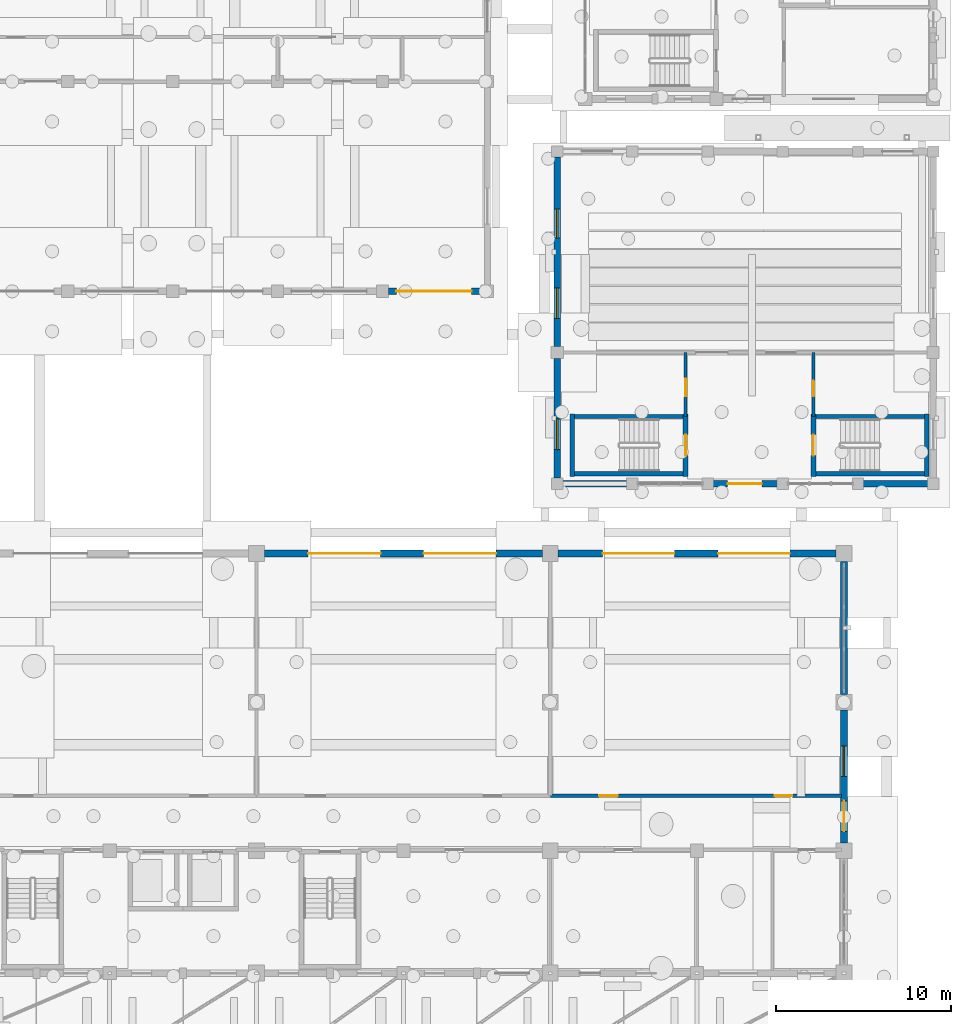
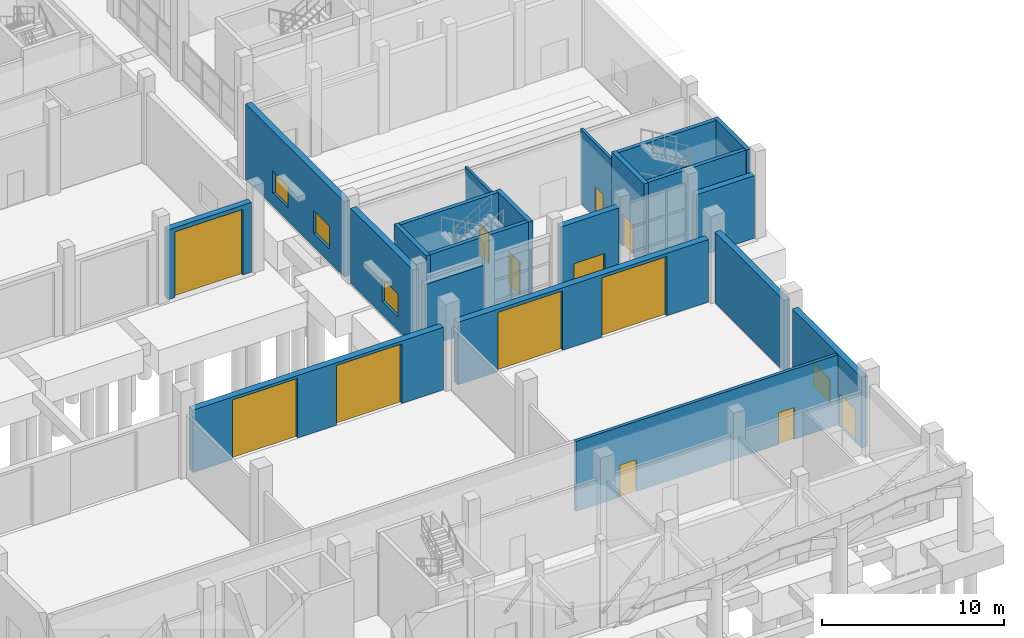
# One storey, part 42 of 60: 21 walls, 13 doors, 4 windows, 17 openings.
"""IFC4 building model written with IfcOpenShell, lengths in metres."""

from ifc_helpers import new_model, si_unit, direction, frame, frame_2d, origin, place, context, subcontext, project, spatial, rectangle, extrude, material, layer, layer_set, type_object, element, fill, save


model = new_model("IFC4")

# Units and contexts
model_context = context("Model", 3, precision=1e-05, world=origin(), true_north=direction((0.0, 1.0)))
body_context = subcontext(model_context, "Body", "Model", "MODEL_VIEW")
ifc_project = project(units=[si_unit("LENGTHUNIT", "METRE"), si_unit("AREAUNIT", "SQUARE_METRE"), si_unit("VOLUMEUNIT", "CUBIC_METRE"), si_unit("PLANEANGLEUNIT", "RADIAN"), si_unit("MASSUNIT", "GRAM", prefix="KILO")], contexts=[model_context])

# Site, building, storey
site_placement = place(None, origin())
site = spatial("IfcSite", under=ifc_project, at=site_placement, CompositionType="ELEMENT")
building_placement = place(site_placement, origin())
building = spatial("IfcBuilding", under=site, at=building_placement, Name="Trellovar Central Fire Station", CompositionType="ELEMENT")
storey_placement = place(building_placement, origin())
storey = spatial("IfcBuildingStorey", under=building, at=storey_placement, Name="L01", CompositionType="ELEMENT", Elevation=0.0)

# Wall, openings, doors
ifc_material_1 = material(Name="Catalan polychrome brickwork with insulated cavity", Category="masonry")
ifc_layer_1 = layer(ifc_material_1, 0.419921875)
ifc_layer_set_1 = layer_set([ifc_layer_1], Name="Catalan polychrome brickwork with insulated cavity")
wall_type_1 = type_object("IfcWallType", Name="EW-1", PredefinedType="STANDARD", material=ifc_layer_set_1)
wall_1_placement = place(storey_placement, frame((138.64990234375, 33.0, 0.0), z_axis=(0.0, 0.0, 1.0), x_axis=(-1.0, 0.0, 0.0)))
wall_1 = element("IfcWall", 1, at=wall_1_placement, inside=storey, type_object=wall_type_1, Name="V5 reserve bay 2 north wall", PredefinedType="STANDARD", context=body_context, shape_type="SweptSolid", body=[
    extrude(rectangle(XDim=15.89990234375, YDim=0.419921875, at=frame_2d((7.949951171875, 0.0))), origin(), (0.0, 0.0, 1.0), 4.18994140625),
])
opening_1_placement = place(wall_1_placement, frame((2.64990234375, 0.0, 0.0)))
opening_1 = element("IfcOpeningElement", 2, at=opening_1_placement, cuts=wall_1, Name="Opening BD-11", PredefinedType="OPENING", context=body_context, shape_type="SweptSolid", body=[
    extrude(rectangle(XDim=4.14990234375, YDim=4.0, at=frame_2d((2.074951171875, 2.0))), frame((0.0, 0.219970703125, 0.0), z_axis=(0.0, -1.0, 0.0), x_axis=(1.0, 0.0, 0.0)), (0.0, 0.0, 1.0), 0.43994140625),
])
opening_2_placement = place(wall_1_placement, frame((9.25, 0.0, 0.0)))
opening_2 = element("IfcOpeningElement", 3, at=opening_2_placement, cuts=wall_1, Name="Opening BD-11", PredefinedType="OPENING", context=body_context, shape_type="SweptSolid", body=[
    extrude(rectangle(XDim=4.14990234375, YDim=4.0, at=frame_2d((2.074951171875, 2.0))), frame((0.0, 0.219970703125, 0.0), z_axis=(0.0, -1.0, 0.0), x_axis=(1.0, 0.0, 0.0)), (0.0, 0.0, 1.0), 0.43994140625),
])
ifc_material_2 = material(Name="Glazed terracotta-orange insulated steel roller shutter", Category="masonry")
door_type_1 = type_object("IfcDoorType", Name="DR-BAY11", OperationType="ROLLINGUP", PredefinedType="DOOR", material=ifc_material_2)
door_1_placement = place(opening_1_placement, origin())
door_1 = element("IfcDoor", 4, at=door_1_placement, inside=storey, type_object=door_type_1, Name="Reserve apparatus bay 2 door A", OperationType="ROLLINGUP", OverallHeight=4.0, OverallWidth=4.14990234375, PredefinedType="DOOR", context=body_context, shape_type="SweptSolid", body=[
    extrude(rectangle(XDim=4.14990234375, YDim=4.0, at=frame_2d((2.074951171875, 2.0))), frame((0.0, 0.02490234375, 0.0), z_axis=(0.0, -1.0, 0.0), x_axis=(1.0, 0.0, 0.0)), (0.0, 0.0, 1.0), 0.050048828125),
])
fill(opening_1, door_1)
door_2_placement = place(opening_2_placement, origin())
door_2 = element("IfcDoor", 5, at=door_2_placement, inside=storey, type_object=door_type_1, Name="Reserve apparatus bay 2 door B", OperationType="ROLLINGUP", OverallHeight=4.0, OverallWidth=4.14990234375, PredefinedType="DOOR", context=body_context, shape_type="SweptSolid", body=[
    extrude(rectangle(XDim=4.14990234375, YDim=4.0, at=frame_2d((2.074951171875, 2.0))), frame((0.0, 0.02490234375, 0.0), z_axis=(0.0, -1.0, 0.0), x_axis=(1.0, 0.0, 0.0)), (0.0, 0.0, 1.0), 0.050048828125),
])
fill(opening_2, door_2)

wall_2_placement = place(storey_placement, frame((155.449951171875, 33.0, 0.0), z_axis=(0.0, 0.0, 1.0), x_axis=(-1.0, 0.0, 0.0)))
wall_2 = element("IfcWall", 6, at=wall_2_placement, inside=storey, type_object=wall_type_1, Name="V5 reserve bay 3 north wall", PredefinedType="STANDARD", context=body_context, shape_type="SweptSolid", body=[
    extrude(rectangle(XDim=15.89990234375, YDim=0.419921875, at=frame_2d((7.949951171875, 0.0))), origin(), (0.0, 0.0, 1.0), 4.18994140625),
])
opening_3_placement = place(wall_2_placement, frame((2.64990234375, 0.0, 0.0)))
opening_3 = element("IfcOpeningElement", 7, at=opening_3_placement, cuts=wall_2, Name="Opening BD-12", PredefinedType="OPENING", context=body_context, shape_type="SweptSolid", body=[
    extrude(rectangle(XDim=4.10009765625, YDim=3.97998046875, at=frame_2d((2.050048828125, 1.989990234375))), frame((0.0, 0.219970703125, 0.0), z_axis=(0.0, -1.0, 0.0), x_axis=(1.0, 0.0, 0.0)), (0.0, 0.0, 1.0), 0.43994140625),
])
opening_4_placement = place(wall_2_placement, frame((9.25, 0.0, 0.0)))
opening_4 = element("IfcOpeningElement", 8, at=opening_4_placement, cuts=wall_2, Name="Opening BD-12", PredefinedType="OPENING", context=body_context, shape_type="SweptSolid", body=[
    extrude(rectangle(XDim=4.10009765625, YDim=3.97998046875, at=frame_2d((2.050048828125, 1.989990234375))), frame((0.0, 0.219970703125, 0.0), z_axis=(0.0, -1.0, 0.0), x_axis=(1.0, 0.0, 0.0)), (0.0, 0.0, 1.0), 0.43994140625),
])
ifc_material_3 = material(Name="Glazed terracotta-orange insulated steel roller shutter", Category="masonry")
door_type_2 = type_object("IfcDoorType", Name="DR-BAY12", OperationType="ROLLINGUP", PredefinedType="DOOR", material=ifc_material_3)
door_3_placement = place(opening_3_placement, origin())
door_3 = element("IfcDoor", 9, at=door_3_placement, inside=storey, type_object=door_type_2, Name="Reserve apparatus bay 3 door A", OperationType="ROLLINGUP", OverallHeight=3.97998046875, OverallWidth=4.10009765625, PredefinedType="DOOR", context=body_context, shape_type="SweptSolid", body=[
    extrude(rectangle(XDim=4.10009765625, YDim=3.97998046875, at=frame_2d((2.050048828125, 1.989990234375))), frame((0.0, 0.02490234375, 0.0), z_axis=(0.0, -1.0, 0.0), x_axis=(1.0, 0.0, 0.0)), (0.0, 0.0, 1.0), 0.050048828125),
])
fill(opening_3, door_3)
door_4_placement = place(opening_4_placement, origin())
door_4 = element("IfcDoor", 10, at=door_4_placement, inside=storey, type_object=door_type_2, Name="Reserve apparatus bay 3 door B", OperationType="ROLLINGUP", OverallHeight=3.97998046875, OverallWidth=4.10009765625, PredefinedType="DOOR", context=body_context, shape_type="SweptSolid", body=[
    extrude(rectangle(XDim=4.10009765625, YDim=3.97998046875, at=frame_2d((2.050048828125, 1.989990234375))), frame((0.0, 0.02490234375, 0.0), z_axis=(0.0, -1.0, 0.0), x_axis=(1.0, 0.0, 0.0)), (0.0, 0.0, 1.0), 0.050048828125),
])
fill(opening_4, door_4)

# Wall, openings, door, window
ifc_material_4 = material(Name="Catalan polychrome brickwork with insulated cavity", Category="masonry")
ifc_layer_2 = layer(ifc_material_4, 0.3798828125)
ifc_layer_set_2 = layer_set([ifc_layer_2], Name="Catalan polychrome brickwork with insulated cavity")
wall_type_2 = type_object("IfcWallType", Name="EW-2", PredefinedType="STANDARD", material=ifc_layer_set_2)
wall_3_placement = place(storey_placement, frame((155.89990234375, 16.449951171875, 0.0), z_axis=(0.0, 0.0, 1.0), x_axis=(0.0, 1.0, 0.0)))
wall_3 = element("IfcWall", 11, at=wall_3_placement, inside=storey, type_object=wall_type_2, Name="V5 L01 east stepback wall", PredefinedType="STANDARD", context=body_context, shape_type="SweptSolid", body=[
    extrude(rectangle(XDim=7.60009765625, YDim=0.3798828125, at=frame_2d((3.800048828125, 0.0))), origin(), (0.0, 0.0, 1.0), 4.75),
])
opening_5_placement = place(wall_3_placement, frame((0.64990234375, 0.0, 0.0)))
opening_5 = element("IfcOpeningElement", 12, at=opening_5_placement, cuts=wall_3, Name="Opening EX-2", PredefinedType="OPENING", context=body_context, shape_type="SweptSolid", body=[
    extrude(rectangle(XDim=1.75, YDim=2.199951171875, at=frame_2d((0.875, 1.10009765625))), frame((0.0, 0.199951171875, 0.0), z_axis=(0.0, -1.0, 0.0), x_axis=(1.0, 0.0, 0.0)), (0.0, 0.0, 1.0), 0.39990234375),
])
opening_6_placement = place(wall_3_placement, frame((3.800048828125, 0.0, 0.75)))
opening_6 = element("IfcOpeningElement", 13, at=opening_6_placement, cuts=wall_3, Name="Opening W-03", PredefinedType="OPENING", context=body_context, shape_type="SweptSolid", body=[
    extrude(rectangle(XDim=1.75, YDim=1.550048828125, at=frame_2d((0.875, 0.77490234375))), frame((0.0, 0.199951171875, 0.0), z_axis=(0.0, -1.0, 0.0), x_axis=(1.0, 0.0, 0.0)), (0.0, 0.0, 1.0), 0.39990234375),
])
ifc_material_5 = material(Name="Hollow galvanized steel with acoustic core", Category="steel")
door_type_3 = type_object("IfcDoorType", Name="DR-EXT2", OperationType="DOUBLE_DOOR_SINGLE_SWING", PredefinedType="DOOR", material=ifc_material_5)
door_5_placement = place(opening_5_placement, frame((1.75, 0.0, 0.0), z_axis=(0.0, 0.0, 1.0), x_axis=(-1.0, 0.0, 0.0)))
door_5 = element("IfcDoor", 14, at=door_5_placement, inside=storey, type_object=door_type_3, Name="HQ ground corridor east street exit", OperationType="DOUBLE_DOOR_SINGLE_SWING", OverallHeight=2.199951171875, OverallWidth=1.75, PredefinedType="DOOR", context=body_context, shape_type="SweptSolid", body=[
    extrude(rectangle(XDim=1.75, YDim=2.199951171875, at=frame_2d((0.875, 1.10009765625))), frame((0.0, 0.02490234375, 0.0), z_axis=(0.0, -1.0, 0.0), x_axis=(1.0, 0.0, 0.0)), (0.0, 0.0, 1.0), 0.050048828125),
])
fill(opening_5, door_5)
ifc_material_6 = material(Name="Thermally broken bronze anodized aluminum", Category="aluminium")
window_type_1 = type_object("IfcWindowType", Name="WIN-03", PartitioningType="DOUBLE_PANEL_VERTICAL", PredefinedType="WINDOW", material=ifc_material_6)
window_1_placement = place(opening_6_placement, origin())
window_1 = element("IfcWindow", 15, at=window_1_placement, inside=storey, type_object=window_type_1, Name="L01 window W-03", OverallHeight=1.550048828125, OverallWidth=1.75, PartitioningType="DOUBLE_PANEL_VERTICAL", PredefinedType="WINDOW", context=body_context, shape_type="SweptSolid", body=[
    extrude(rectangle(XDim=1.75, YDim=1.550048828125, at=frame_2d((0.875, 0.77490234375))), frame((0.0, 0.030029296875, 0.0), z_axis=(0.0, -1.0, 0.0), x_axis=(1.0, 0.0, 0.0)), (0.0, 0.0, 1.0), 0.06005859375),
])
fill(opening_6, window_1)

# Wall
wall_4_placement = place(storey_placement, frame((155.89990234375, 24.949951171875, 0.0), z_axis=(0.0, 0.0, 1.0), x_axis=(0.0, 1.0, 0.0)))
element("IfcWall", 16, at=wall_4_placement, inside=storey, type_object=wall_type_2, Name="V5 L01 east stepback wall", PredefinedType="STANDARD", context=body_context, shape_type="SweptSolid", body=[
    extrude(rectangle(XDim=7.60009765625, YDim=0.3798828125, at=frame_2d((3.800048828125, 0.0))), origin(), (0.0, 0.0, 1.0), 4.75),
])

# Wall, opening, door
wall_5_placement = place(storey_placement, frame((129.85009765625, 48.0, 0.0), z_axis=(0.0, 0.0, 1.0), x_axis=(1.0, 0.0, 0.0)))
wall_5 = element("IfcWall", 17, at=wall_5_placement, inside=storey, type_object=wall_type_2, Name="V6 fleet bay 5 south wall", PredefinedType="STANDARD", context=body_context, shape_type="SweptSolid", body=[
    extrude(rectangle(XDim=5.2998046875, YDim=0.3798828125, at=frame_2d((2.64990234375, 0.0))), origin(), (0.0, 0.0, 1.0), 4.677978515625),
])
opening_7_placement = place(wall_5_placement, frame((0.449951171875, 0.0, 0.0)))
opening_7 = element("IfcOpeningElement", 18, at=opening_7_placement, cuts=wall_5, Name="Opening BD-6", PredefinedType="OPENING", context=body_context, shape_type="SweptSolid", body=[
    extrude(rectangle(XDim=4.300048828125, YDim=4.39990234375, at=frame_2d((2.14990234375, 2.199951171875))), frame((0.0, 0.199951171875, 0.0), z_axis=(0.0, -1.0, 0.0), x_axis=(1.0, 0.0, 0.0)), (0.0, 0.0, 1.0), 0.39990234375),
])
ifc_material_7 = material(Name="Glazed terracotta-orange insulated steel roller shutter", Category="masonry")
door_type_4 = type_object("IfcDoorType", Name="DR-BAY6", OperationType="ROLLINGUP", PredefinedType="DOOR", material=ifc_material_7)
door_6_placement = place(opening_7_placement, origin())
door_6 = element("IfcDoor", 19, at=door_6_placement, inside=storey, type_object=door_type_4, Name="Heavy fleet maintenance bay 5 door", OperationType="ROLLINGUP", OverallHeight=4.39990234375, OverallWidth=4.300048828125, PredefinedType="DOOR", context=body_context, shape_type="SweptSolid", body=[
    extrude(rectangle(XDim=4.300048828125, YDim=4.39990234375, at=frame_2d((2.14990234375, 2.199951171875))), frame((0.0, 0.02490234375, 0.0), z_axis=(0.0, -1.0, 0.0), x_axis=(1.0, 0.0, 0.0)), (0.0, 0.0, 1.0), 0.050048828125),
])
fill(opening_7, door_6)

# Wall
wall_6_placement = place(storey_placement, frame((139.800048828125, 37.0, 0.0), z_axis=(0.0, 0.0, 1.0), x_axis=(1.0, 0.0, 0.0)))
element("IfcWall", 20, at=wall_6_placement, inside=storey, type_object=wall_type_2, Name="V3 stair bay south wall 1", PredefinedType="STANDARD", context=body_context, shape_type="SweptSolid", body=[
    extrude(rectangle(XDim=3.699951171875, YDim=0.3798828125, at=frame_2d((1.85009765625, 0.0))), origin(), (0.0, 0.0, 1.0), 4.199951171875),
])

# Wall, opening, door
wall_7_placement = place(storey_placement, frame((148.39990234375, 37.0, 0.0), z_axis=(0.0, 0.0, 1.0), x_axis=(1.0, 0.0, 0.0)))
wall_7 = element("IfcWall", 21, at=wall_7_placement, inside=storey, type_object=wall_type_2, Name="V3 south foyer portal", PredefinedType="STANDARD", context=body_context, shape_type="SweptSolid", body=[
    extrude(rectangle(XDim=3.7001953125, YDim=0.3798828125, at=frame_2d((1.85009765625, 0.0))), origin(), (0.0, 0.0, 1.0), 5.050048828125),
])
opening_8_placement = place(wall_7_placement, frame((0.85009765625, 0.0, 0.0)))
opening_8 = element("IfcOpeningElement", 22, at=opening_8_placement, cuts=wall_7, Name="Opening EX-1", PredefinedType="OPENING", context=body_context, shape_type="SweptSolid", body=[
    extrude(rectangle(XDim=1.949951171875, YDim=2.300048828125, at=frame_2d((0.97509765625, 1.14990234375))), frame((0.0, 0.199951171875, 0.0), z_axis=(0.0, -1.0, 0.0), x_axis=(1.0, 0.0, 0.0)), (0.0, 0.0, 1.0), 0.39990234375),
])
ifc_material_8 = material(Name="Thermally broken bronze anodized aluminum", Category="aluminium")
door_type_5 = type_object("IfcDoorType", Name="DR-EXT1", OperationType="DOUBLE_DOOR_SINGLE_SWING", PredefinedType="DOOR", material=ifc_material_8)
door_7_placement = place(opening_8_placement, frame((1.949951171875, 0.0, 0.0), z_axis=(0.0, 0.0, 1.0), x_axis=(-1.0, 0.0, 0.0)))
door_7 = element("IfcDoor", 23, at=door_7_placement, inside=storey, type_object=door_type_5, Name="Civic lecture foyer main entrance", OperationType="DOUBLE_DOOR_SINGLE_SWING", OverallHeight=2.300048828125, OverallWidth=1.949951171875, PredefinedType="DOOR", context=body_context, shape_type="SweptSolid", body=[
    extrude(rectangle(XDim=1.949951171875, YDim=2.300048828125, at=frame_2d((0.97509765625, 1.14990234375))), frame((0.0, 0.02490234375, 0.0), z_axis=(0.0, -1.0, 0.0), x_axis=(1.0, 0.0, 0.0)), (0.0, 0.0, 1.0), 0.050048828125),
])
fill(opening_8, door_7)

# Wall
wall_8_placement = place(storey_placement, frame((157.0, 37.0, 0.0), z_axis=(0.0, 0.0, 1.0), x_axis=(1.0, 0.0, 0.0)))
element("IfcWall", 24, at=wall_8_placement, inside=storey, type_object=wall_type_2, Name="V3 stair bay south wall 5", PredefinedType="STANDARD", context=body_context, shape_type="SweptSolid", body=[
    extrude(rectangle(XDim=3.699951171875, YDim=0.3798828125, at=frame_2d((1.85009765625, 0.0))), origin(), (0.0, 0.0, 1.0), 4.199951171875),
])

# Wall, opening, window
wall_9_placement = place(storey_placement, frame((139.5, 37.324951171875, 0.0), z_axis=(0.0, 0.0, 1.0), x_axis=(0.0, 1.0, 0.0)))
wall_9 = element("IfcWall", 25, at=wall_9_placement, inside=storey, type_object=wall_type_2, Name="V3 L01 W wall", PredefinedType="STANDARD", context=body_context, shape_type="SweptSolid", body=[
    extrude(rectangle(XDim=6.824951171875, YDim=0.3798828125, at=frame_2d((3.41259765625, 0.0))), origin(), (0.0, 0.0, 1.0), 5.050048828125),
])
opening_9_placement = place(wall_9_placement, frame((1.625, 0.0, 0.89990234375)))
opening_9 = element("IfcOpeningElement", 26, at=opening_9_placement, cuts=wall_9, Name="Opening W-03", PredefinedType="OPENING", context=body_context, shape_type="SweptSolid", body=[
    extrude(rectangle(XDim=1.75, YDim=1.550048828125, at=frame_2d((0.875, 0.77490234375))), frame((0.0, 0.199951171875, 0.0), z_axis=(0.0, -1.0, 0.0), x_axis=(1.0, 0.0, 0.0)), (0.0, 0.0, 1.0), 0.39990234375),
])
window_2_placement = place(opening_9_placement, origin())
window_2 = element("IfcWindow", 27, at=window_2_placement, inside=storey, type_object=window_type_1, Name="L01 window W-03", OverallHeight=1.550048828125, OverallWidth=1.75, PartitioningType="DOUBLE_PANEL_VERTICAL", PredefinedType="WINDOW", context=body_context, shape_type="SweptSolid", body=[
    extrude(rectangle(XDim=1.75, YDim=1.550048828125, at=frame_2d((0.875, 0.77490234375))), frame((0.0, 0.030029296875, 0.0), z_axis=(0.0, -1.0, 0.0), x_axis=(1.0, 0.0, 0.0)), (0.0, 0.0, 1.0), 0.06005859375),
])
fill(opening_9, window_2)

# Wall, openings, windows
wall_10_placement = place(storey_placement, frame((139.5, 44.85009765625, 0.0), z_axis=(0.0, 0.0, 1.0), x_axis=(0.0, 1.0, 0.0)))
wall_10 = element("IfcWall", 28, at=wall_10_placement, inside=storey, type_object=wall_type_2, Name="V3 L01 W wall", PredefinedType="STANDARD", context=body_context, shape_type="SweptSolid", body=[
    extrude(rectangle(XDim=10.824951171875, YDim=0.3798828125, at=frame_2d((5.41259765625, 0.0))), origin(), (0.0, 0.0, 1.0), 5.050048828125),
])
opening_10_placement = place(wall_10_placement, frame((1.60009765625, 0.0, 0.89990234375)))
opening_10 = element("IfcOpeningElement", 29, at=opening_10_placement, cuts=wall_10, Name="Opening W-03", PredefinedType="OPENING", context=body_context, shape_type="SweptSolid", body=[
    extrude(rectangle(XDim=1.75, YDim=1.550048828125, at=frame_2d((0.875, 0.77490234375))), frame((0.0, 0.199951171875, 0.0), z_axis=(0.0, -1.0, 0.0), x_axis=(1.0, 0.0, 0.0)), (0.0, 0.0, 1.0), 0.39990234375),
])
opening_11_placement = place(wall_10_placement, frame((6.199951171875, 0.0, 0.89990234375)))
opening_11 = element("IfcOpeningElement", 30, at=opening_11_placement, cuts=wall_10, Name="Opening W-12", PredefinedType="OPENING", context=body_context, shape_type="SweptSolid", body=[
    extrude(rectangle(XDim=1.64990234375, YDim=1.449951171875, at=frame_2d((0.824951171875, 0.72509765625))), frame((0.0, 0.199951171875, 0.0), z_axis=(0.0, -1.0, 0.0), x_axis=(1.0, 0.0, 0.0)), (0.0, 0.0, 1.0), 0.39990234375),
])
window_3_placement = place(opening_10_placement, origin())
window_3 = element("IfcWindow", 31, at=window_3_placement, inside=storey, type_object=window_type_1, Name="L01 window W-03", OverallHeight=1.550048828125, OverallWidth=1.75, PartitioningType="DOUBLE_PANEL_VERTICAL", PredefinedType="WINDOW", context=body_context, shape_type="SweptSolid", body=[
    extrude(rectangle(XDim=1.75, YDim=1.550048828125, at=frame_2d((0.875, 0.77490234375))), frame((0.0, 0.030029296875, 0.0), z_axis=(0.0, -1.0, 0.0), x_axis=(1.0, 0.0, 0.0)), (0.0, 0.0, 1.0), 0.06005859375),
])
fill(opening_10, window_3)
ifc_material_9 = material(Name="Thermally broken bronze anodized aluminum", Category="aluminium")
window_type_2 = type_object("IfcWindowType", Name="WIN-12", PartitioningType="DOUBLE_PANEL_VERTICAL", PredefinedType="WINDOW", material=ifc_material_9)
window_4_placement = place(opening_11_placement, origin())
window_4 = element("IfcWindow", 32, at=window_4_placement, inside=storey, type_object=window_type_2, Name="L01 window W-12", OverallHeight=1.449951171875, OverallWidth=1.64990234375, PartitioningType="DOUBLE_PANEL_VERTICAL", PredefinedType="WINDOW", context=body_context, shape_type="SweptSolid", body=[
    extrude(rectangle(XDim=1.64990234375, YDim=1.449951171875, at=frame_2d((0.824951171875, 0.72509765625))), frame((0.0, 0.030029296875, 0.0), z_axis=(0.0, -1.0, 0.0), x_axis=(1.0, 0.0, 0.0)), (0.0, 0.0, 1.0), 0.06005859375),
])
fill(opening_11, window_4)

# Wall, openings, doors
ifc_material_10 = material(Name="Acoustic concrete masonry unit", Category="masonry")
ifc_layer_3 = layer(ifc_material_10, 0.199951171875)
ifc_layer_set_3 = layer_set([ifc_layer_3], Name="Acoustic concrete masonry unit")
wall_type_3 = type_object("IfcWallType", Name="PT-1", PredefinedType="PARTITIONING", material=ifc_layer_set_3)
wall_11_placement = place(storey_placement, frame((139.10009765625, 19.14990234375, 0.0), z_axis=(0.0, 0.0, 1.0), x_axis=(1.0, 0.0, 0.0)))
wall_11 = element("IfcWall", 33, at=wall_11_placement, inside=storey, type_object=wall_type_3, Name="V5 L01 north corridor spine", PredefinedType="PARTITIONING", context=body_context, shape_type="SweptSolid", body=[
    extrude(rectangle(XDim=16.64990234375, YDim=0.199951171875, at=frame_2d((8.324951171875, 0.0))), origin(), (0.0, 0.0, 1.0), 4.699951171875),
])
opening_12_placement = place(wall_11_placement, frame((2.800048828125, 0.0, 0.0)))
opening_12 = element("IfcOpeningElement", 34, at=opening_12_placement, cuts=wall_11, Name="Opening ID-5", PredefinedType="OPENING", context=body_context, shape_type="SweptSolid", body=[
    extrude(rectangle(XDim=1.050048828125, YDim=2.139892578125, at=frame_2d((0.52490234375, 1.06982421875))), frame((0.0, 0.10986328125, 0.0), z_axis=(0.0, -1.0, 0.0), x_axis=(1.0, 0.0, 0.0)), (0.0, 0.0, 1.0), 0.219970703125),
])
opening_13_placement = place(wall_11_placement, frame((12.85009765625, 0.0, 0.0)))
opening_13 = element("IfcOpeningElement", 35, at=opening_13_placement, cuts=wall_11, Name="Opening ID-1", PredefinedType="OPENING", context=body_context, shape_type="SweptSolid", body=[
    extrude(rectangle(XDim=1.0, YDim=2.1201171875, at=frame_2d((0.5, 1.06005859375))), frame((0.0, 0.10986328125, 0.0), z_axis=(0.0, -1.0, 0.0), x_axis=(1.0, 0.0, 0.0)), (0.0, 0.0, 1.0), 0.219970703125),
])
ifc_material_11 = material(Name="Solid core acoustic white oak veneer", Category="wood")
door_type_6 = type_object("IfcDoorType", Name="DR-INT1", OperationType="SINGLE_SWING_LEFT", PredefinedType="DOOR", material=ifc_material_11)
door_8_placement = place(opening_13_placement, origin())
door_8 = element("IfcDoor", 36, at=door_8_placement, inside=storey, type_object=door_type_6, Name="V5 L01 north secondary egress door", OperationType="SINGLE_SWING_LEFT", OverallHeight=2.1201171875, OverallWidth=1.0, PredefinedType="DOOR", context=body_context, shape_type="SweptSolid", body=[
    extrude(rectangle(XDim=1.0, YDim=2.1201171875, at=frame_2d((0.5, 1.06005859375))), frame((0.0, 0.02490234375, 0.0), z_axis=(0.0, -1.0, 0.0), x_axis=(1.0, 0.0, 0.0)), (0.0, 0.0, 1.0), 0.050048828125),
])
fill(opening_13, door_8)
ifc_material_12 = material(Name="Hollow galvanized steel with acoustic core", Category="steel")
door_type_7 = type_object("IfcDoorType", Name="DR-INT5", OperationType="SINGLE_SWING_LEFT", PredefinedType="DOOR", material=ifc_material_12)
door_9_placement = place(opening_12_placement, origin())
door_9 = element("IfcDoor", 37, at=door_9_placement, inside=storey, type_object=door_type_7, Name="V5 L01 north hall door", OperationType="SINGLE_SWING_RIGHT", OverallHeight=2.139892578125, OverallWidth=1.050048828125, PredefinedType="DOOR", context=body_context, shape_type="SweptSolid", body=[
    extrude(rectangle(XDim=1.050048828125, YDim=2.139892578125, at=frame_2d((0.52490234375, 1.06982421875))), frame((0.0, 0.02490234375, 0.0), z_axis=(0.0, -1.0, 0.0), x_axis=(1.0, 0.0, 0.0)), (0.0, 0.0, 1.0), 0.050048828125),
])
fill(opening_12, door_9)

# Wall, opening, door
ifc_material_13 = material(Name="Acoustic concrete masonry unit", Category="masonry")
ifc_layer_4 = layer(ifc_material_13, 0.159912109375)
ifc_layer_set_4 = layer_set([ifc_layer_4], Name="Acoustic concrete masonry unit")
wall_type_4 = type_object("IfcWallType", Name="PT-2", PredefinedType="PARTITIONING", material=ifc_layer_set_4)
wall_12_placement = place(storey_placement, frame((146.840087890625, 40.840087890625, 0.0), z_axis=(0.0, 0.0, 1.0), x_axis=(0.0, 1.0, 0.0)))
wall_12 = element("IfcWall", 38, at=wall_12_placement, inside=storey, type_object=wall_type_4, Name="V3 L01 west foyer room wall", PredefinedType="PARTITIONING", context=body_context, shape_type="SweptSolid", body=[
    extrude(rectangle(XDim=3.659912109375, YDim=0.159912109375, at=frame_2d((1.830078125, 0.0))), origin(), (0.0, 0.0, 1.0), 5.0),
])
opening_14_placement = place(wall_12_placement, frame((1.14990234375, 0.0, 0.0)))
opening_14 = element("IfcOpeningElement", 39, at=opening_14_placement, cuts=wall_12, Name="Opening ID-1", PredefinedType="OPENING", context=body_context, shape_type="SweptSolid", body=[
    extrude(rectangle(XDim=1.0, YDim=2.1201171875, at=frame_2d((0.5, 1.06005859375))), frame((0.0, 0.08984375, 0.0), z_axis=(0.0, -1.0, 0.0), x_axis=(1.0, 0.0, 0.0)), (0.0, 0.0, 1.0), 0.179931640625),
])
door_10_placement = place(opening_14_placement, origin())
door_10 = element("IfcDoor", 40, at=door_10_placement, inside=storey, type_object=door_type_6, Name="V3 L01 west room door", OperationType="SINGLE_SWING_LEFT", OverallHeight=2.1201171875, OverallWidth=1.0, PredefinedType="DOOR", context=body_context, shape_type="SweptSolid", body=[
    extrude(rectangle(XDim=1.0, YDim=2.1201171875, at=frame_2d((0.5, 1.06005859375))), frame((0.0, 0.02490234375, 0.0), z_axis=(0.0, -1.0, 0.0), x_axis=(1.0, 0.0, 0.0)), (0.0, 0.0, 1.0), 0.050048828125),
])
fill(opening_14, door_10)

wall_13_placement = place(storey_placement, frame((154.159912109375, 40.840087890625, 0.0), z_axis=(0.0, 0.0, 1.0), x_axis=(0.0, 1.0, 0.0)))
wall_13 = element("IfcWall", 41, at=wall_13_placement, inside=storey, type_object=wall_type_4, Name="V3 L01 east foyer WC wall", PredefinedType="PARTITIONING", context=body_context, shape_type="SweptSolid", body=[
    extrude(rectangle(XDim=3.659912109375, YDim=0.159912109375, at=frame_2d((1.830078125, 0.0))), origin(), (0.0, 0.0, 1.0), 5.0),
])
opening_15_placement = place(wall_13_placement, frame((1.14990234375, 0.0, 0.0)))
opening_15 = element("IfcOpeningElement", 42, at=opening_15_placement, cuts=wall_13, Name="Opening ID-11", PredefinedType="OPENING", context=body_context, shape_type="SweptSolid", body=[
    extrude(rectangle(XDim=0.89990234375, YDim=2.080078125, at=frame_2d((0.449951171875, 1.0400390625))), frame((0.0, 0.08984375, 0.0), z_axis=(0.0, -1.0, 0.0), x_axis=(1.0, 0.0, 0.0)), (0.0, 0.0, 1.0), 0.179931640625),
])
ifc_material_14 = material(Name="Solid core acoustic white oak veneer", Category="wood")
door_type_8 = type_object("IfcDoorType", Name="DR-INT11", OperationType="SINGLE_SWING_LEFT", PredefinedType="DOOR", material=ifc_material_14)
door_11_placement = place(opening_15_placement, origin())
door_11 = element("IfcDoor", 43, at=door_11_placement, inside=storey, type_object=door_type_8, Name="V3 L01 accessible WC door", OperationType="SINGLE_SWING_RIGHT", OverallHeight=2.080078125, OverallWidth=0.89990234375, PredefinedType="DOOR", context=body_context, shape_type="SweptSolid", body=[
    extrude(rectangle(XDim=0.89990234375, YDim=2.080078125, at=frame_2d((0.449951171875, 1.0400390625))), frame((0.0, 0.02490234375, 0.0), z_axis=(0.0, -1.0, 0.0), x_axis=(1.0, 0.0, 0.0)), (0.0, 0.0, 1.0), 0.050048828125),
])
fill(opening_15, door_11)

ifc_material_15 = material(Name="Concrete C40/50", Category="concrete")
ifc_layer_5 = layer(ifc_material_15, 0.280029296875)
ifc_layer_set_5 = layer_set([ifc_layer_5], Name="Concrete C40/50")
wall_type_5 = type_object("IfcWallType", Name="SW-1", PredefinedType="SHEAR", material=ifc_layer_set_5)
wall_14_placement = place(storey_placement, frame((146.840087890625, 40.97998046875, 0.0), z_axis=(0.0, 0.0, 1.0), x_axis=(0.0, -1.0, 0.0)))
wall_14 = element("IfcWall", 44, at=wall_14_placement, inside=storey, type_object=wall_type_5, Name="Stair ST-09 L01 front corridor wall", PredefinedType="SHEAR", context=body_context, shape_type="SweptSolid", body=[
    extrude(rectangle(XDim=3.56005859375, YDim=0.280029296875, at=frame_2d((1.780029296875, 0.0))), origin(), (0.0, 0.0, 1.0), 5.60009765625),
])
opening_16_placement = place(wall_14_placement, frame((1.179931640625, 0.0, 0.0)))
opening_16 = element("IfcOpeningElement", 45, at=opening_16_placement, cuts=wall_14, Name="Opening SD-1", PredefinedType="OPENING", context=body_context, shape_type="SweptSolid", body=[
    extrude(rectangle(XDim=1.199951171875, YDim=2.14990234375, at=frame_2d((0.60009765625, 1.074951171875))), frame((0.0, 0.14990234375, 0.0), z_axis=(0.0, -1.0, 0.0), x_axis=(1.0, 0.0, 0.0)), (0.0, 0.0, 1.0), 0.300048828125),
])
ifc_material_16 = material(Name="Hollow galvanized steel with acoustic core", Category="steel")
door_type_9 = type_object("IfcDoorType", Name="DR-STR1", OperationType="SINGLE_SWING_LEFT", PredefinedType="DOOR", material=ifc_material_16)
door_12_placement = place(opening_16_placement, origin())
door_12 = element("IfcDoor", 46, at=door_12_placement, inside=storey, type_object=door_type_9, Name="Stair ST-09 L01 fire door", OperationType="SINGLE_SWING_LEFT", OverallHeight=2.14990234375, OverallWidth=1.199951171875, PredefinedType="DOOR", context=body_context, shape_type="SweptSolid", body=[
    extrude(rectangle(XDim=1.199951171875, YDim=2.14990234375, at=frame_2d((0.60009765625, 1.074951171875))), frame((0.0, 0.02490234375, 0.0), z_axis=(0.0, -1.0, 0.0), x_axis=(1.0, 0.0, 0.0)), (0.0, 0.0, 1.0), 0.050048828125),
])
fill(opening_16, door_12)

wall_15_placement = place(storey_placement, frame((154.159912109375, 37.419921875, 0.0), z_axis=(0.0, 0.0, 1.0), x_axis=(0.0, 1.0, 0.0)))
wall_15 = element("IfcWall", 47, at=wall_15_placement, inside=storey, type_object=wall_type_5, Name="Stair ST-10 L01 front corridor wall", PredefinedType="SHEAR", context=body_context, shape_type="SweptSolid", body=[
    extrude(rectangle(XDim=3.56005859375, YDim=0.280029296875, at=frame_2d((1.780029296875, 0.0))), origin(), (0.0, 0.0, 1.0), 5.60009765625),
])
opening_17_placement = place(wall_15_placement, frame((1.179931640625, 0.0, 0.0)))
opening_17 = element("IfcOpeningElement", 48, at=opening_17_placement, cuts=wall_15, Name="Opening SD-1", PredefinedType="OPENING", context=body_context, shape_type="SweptSolid", body=[
    extrude(rectangle(XDim=1.199951171875, YDim=2.14990234375, at=frame_2d((0.60009765625, 1.074951171875))), frame((0.0, 0.14990234375, 0.0), z_axis=(0.0, -1.0, 0.0), x_axis=(1.0, 0.0, 0.0)), (0.0, 0.0, 1.0), 0.300048828125),
])
door_13_placement = place(opening_17_placement, origin())
door_13 = element("IfcDoor", 49, at=door_13_placement, inside=storey, type_object=door_type_9, Name="Stair ST-10 L01 fire door", OperationType="SINGLE_SWING_LEFT", OverallHeight=2.14990234375, OverallWidth=1.199951171875, PredefinedType="DOOR", context=body_context, shape_type="SweptSolid", body=[
    extrude(rectangle(XDim=1.199951171875, YDim=2.14990234375, at=frame_2d((0.60009765625, 1.074951171875))), frame((0.0, 0.02490234375, 0.0), z_axis=(0.0, -1.0, 0.0), x_axis=(1.0, 0.0, 0.0)), (0.0, 0.0, 1.0), 0.050048828125),
])
fill(opening_17, door_13)

# Walls
ifc_material_17 = material(Name="Concrete C40/50", Category="concrete")
ifc_layer_6 = layer(ifc_material_17, 0.25)
ifc_layer_set_6 = layer_set([ifc_layer_6], Name="Concrete C40/50")
wall_type_6 = type_object("IfcWallType", Name="SW-2", PredefinedType="SHEAR", material=ifc_layer_set_6)
wall_16_placement = place(storey_placement, frame((140.360107421875, 37.419921875, 0.0), z_axis=(0.0, 0.0, 1.0), x_axis=(0.0, 1.0, 0.0)))
element("IfcWall", 50, at=wall_16_placement, inside=storey, type_object=wall_type_6, Name="Stair ST-09 L01 rear wall", PredefinedType="SHEAR", context=body_context, shape_type="SweptSolid", body=[
    extrude(rectangle(XDim=3.56005859375, YDim=0.25, at=frame_2d((1.780029296875, 0.0))), origin(), (0.0, 0.0, 1.0), 5.60009765625),
])
for number, where, z_axis, x_axis, name in (
    (51, (146.699951171875, 40.840087890625, 0.0), (0.0, 0.0, 1.0), (-1.0, 0.0, 0.0), "Stair ST-09 L01 left wall"),
    (52, (140.5, 37.56005859375, 0.0), (0.0, 0.0, 1.0), (1.0, 0.0, 0.0), "Stair ST-09 L01 right wall"),
):
    element("IfcWall", number, at=place(storey_placement, frame(where, z_axis=z_axis, x_axis=x_axis)), inside=storey, type_object=wall_type_6, Name=name, PredefinedType="SHEAR", context=body_context, shape_type="SweptSolid", body=[
        extrude(rectangle(XDim=6.199951171875, YDim=0.25, at=frame_2d((3.10009765625, 0.0))), origin(), (0.0, 0.0, 1.0), 5.60009765625),
    ])
wall_17_placement = place(storey_placement, frame((160.639892578125, 40.97998046875, 0.0), z_axis=(0.0, 0.0, 1.0), x_axis=(0.0, -1.0, 0.0)))
element("IfcWall", 53, at=wall_17_placement, inside=storey, type_object=wall_type_6, Name="Stair ST-10 L01 rear wall", PredefinedType="SHEAR", context=body_context, shape_type="SweptSolid", body=[
    extrude(rectangle(XDim=3.56005859375, YDim=0.25, at=frame_2d((1.780029296875, 0.0))), origin(), (0.0, 0.0, 1.0), 5.60009765625),
])
for number, where, z_axis, x_axis, name in (
    (54, (154.300048828125, 37.56005859375, 0.0), (0.0, 0.0, 1.0), (1.0, 0.0, 0.0), "Stair ST-10 L01 left wall"),
    (55, (160.5, 40.840087890625, 0.0), (0.0, 0.0, 1.0), (-1.0, 0.0, 0.0), "Stair ST-10 L01 right wall"),
):
    element("IfcWall", number, at=place(storey_placement, frame(where, z_axis=z_axis, x_axis=x_axis)), inside=storey, type_object=wall_type_6, Name=name, PredefinedType="SHEAR", context=body_context, shape_type="SweptSolid", body=[
        extrude(rectangle(XDim=6.199951171875, YDim=0.25, at=frame_2d((3.10009765625, 0.0))), origin(), (0.0, 0.0, 1.0), 5.60009765625),
    ])

save(model, "model.ifc")
